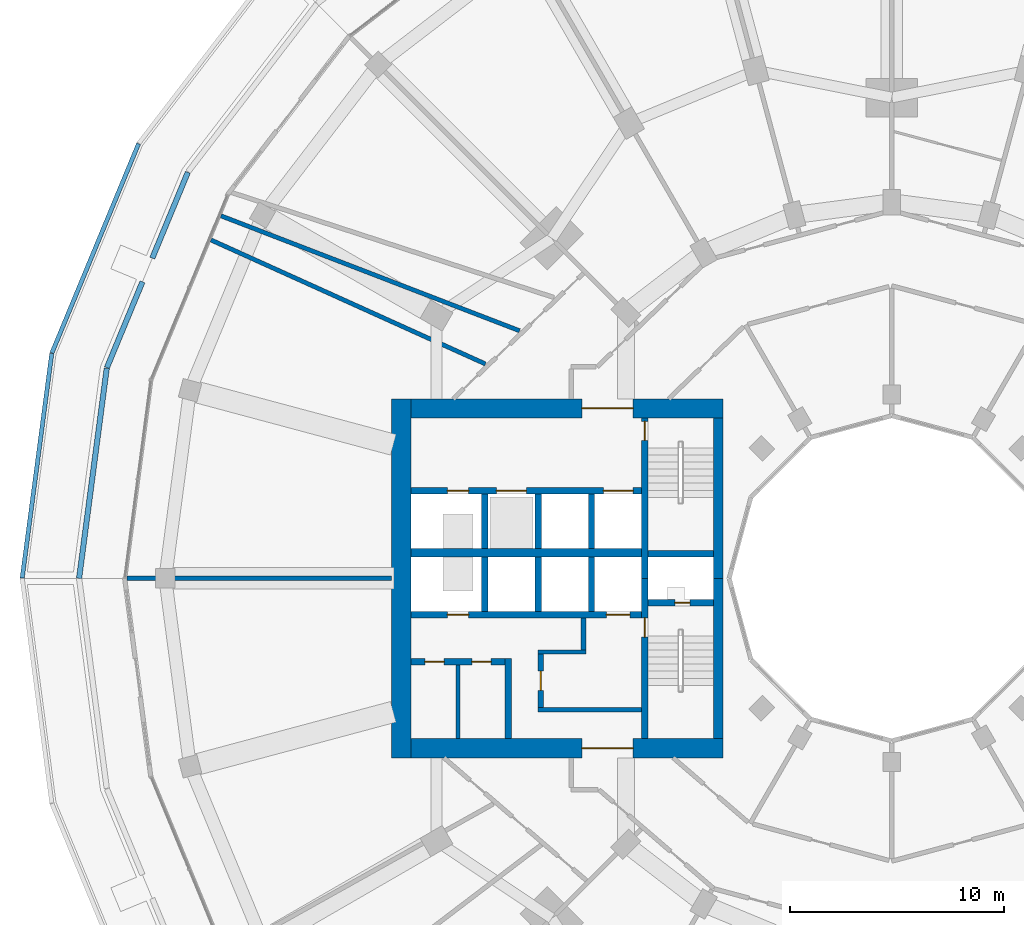
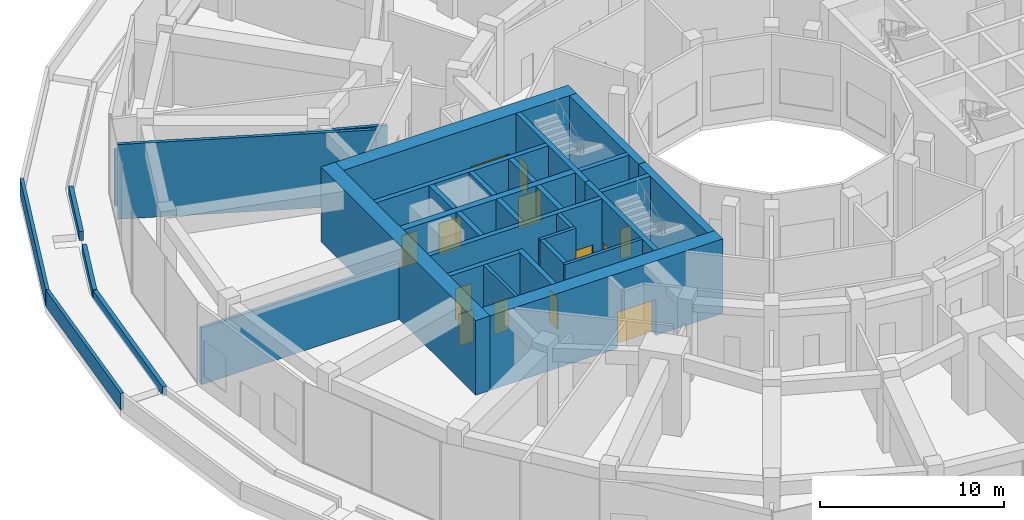
# One storey, part 19 of 26: 33 walls, 13 doors, 13 openings.
"""IFC4 building model written with IfcOpenShell, lengths in metres."""

from ifc_helpers import new_model, si_unit, direction, frame, frame_2d, origin, place, context, subcontext, project, spatial, rectangle, extrude, material, layer, layer_set, type_object, element, fill, save


model = new_model("IFC4")

# Units and contexts
model_context = context("Model", 3, precision=1e-05, world=origin(), true_north=direction((0.0, 1.0)))
body_context = subcontext(model_context, "Body", "Model", "MODEL_VIEW")
ifc_project = project(units=[si_unit("LENGTHUNIT", "METRE"), si_unit("AREAUNIT", "SQUARE_METRE"), si_unit("VOLUMEUNIT", "CUBIC_METRE"), si_unit("PLANEANGLEUNIT", "RADIAN"), si_unit("MASSUNIT", "GRAM", prefix="KILO")], contexts=[model_context])

# Site, building, storey
site_placement = place(None, origin())
site = spatial("IfcSite", under=ifc_project, at=site_placement, CompositionType="ELEMENT")
building_placement = place(site_placement, origin())
building = spatial("IfcBuilding", under=site, at=building_placement, Name="Torre Brocal", CompositionType="ELEMENT")
storey_placement = place(building_placement, frame((0.0, 0.0, 12.39990234375)))
storey = spatial("IfcBuildingStorey", under=building, at=storey_placement, Name="L02", CompositionType="ELEMENT", Elevation=12.39990234375)

# Walls
ifc_material_1 = material(Name="Masonry block", Category="masonry")
ifc_layer_1 = layer(ifc_material_1, 0.199951171875)
ifc_layer_set_1 = layer_set([ifc_layer_1], Name="Masonry block")
wall_type_1 = type_object("IfcWallType", Name="CORE PARTITION 200 UNDER 450 SLAB", PredefinedType="PARTITIONING", material=ifc_layer_set_1)
wall_1_placement = place(storey_placement, frame((59.699951171875, 70.949951171875, 0.0), z_axis=(0.0, 0.0, 1.0), x_axis=(0.0, -1.0, 0.0)))
element("IfcWall", 1, at=wall_1_placement, inside=storey, type_object=wall_type_1, Name="Wall CP200-S450", PredefinedType="PARTITIONING", context=body_context, shape_type="SweptSolid", body=[
    extrude(rectangle(XDim=3.449951171875, YDim=0.199951171875, at=frame_2d((1.72509765625, 0.0))), origin(), (0.0, 0.0, 1.0), 4.9501953125),
])
ifc_material_2 = material(Name="Concrete C80", Category="concrete")
ifc_layer_2 = layer(ifc_material_2, 0.199951171875)
ifc_layer_set_2 = layer_set([ifc_layer_2], Name="Concrete C80")
wall_type_2 = type_object("IfcWallType", Name="CORE WALL 200 C80 UNDER 450 SLAB", PredefinedType="SHEAR", material=ifc_layer_set_2)
wall_2_placement = place(storey_placement, frame((68.300048828125, 68.85009765625, 0.0), z_axis=(0.0, 0.0, 1.0), x_axis=(-1.0, 0.0, 0.0)))
element("IfcWall", 2, at=wall_2_placement, inside=storey, type_object=wall_type_2, Name="Wall CW200-80-S450", PredefinedType="SHEAR", context=body_context, shape_type="SweptSolid", body=[
    extrude(rectangle(XDim=4.85009765625, YDim=0.199951171875, at=frame_2d((2.425048828125, 0.0))), origin(), (0.0, 0.0, 1.0), 4.9501953125),
])
wall_3_placement = place(storey_placement, frame((65.699951171875, 71.550048828125, 0.0), z_axis=(0.0, 0.0, 1.0), x_axis=(-1.0, 0.0, 0.0)))
element("IfcWall", 3, at=wall_3_placement, inside=storey, type_object=wall_type_2, Name="Wall CW200-80-S450", PredefinedType="SHEAR", context=body_context, shape_type="SweptSolid", body=[
    extrude(rectangle(XDim=2.25, YDim=0.199951171875, at=frame_2d((1.125, 0.0))), origin(), (0.0, 0.0, 1.0), 4.9501953125),
])

# Wall, opening, door
ifc_material_3 = material(Name="Concrete C80", Category="concrete")
ifc_layer_3 = layer(ifc_material_3, 0.25)
ifc_layer_set_3 = layer_set([ifc_layer_3], Name="Concrete C80")
wall_type_3 = type_object("IfcWallType", Name="CORE WALL 250 C80 UNDER 450 SLAB", PredefinedType="SHEAR", material=ifc_layer_set_3)
wall_4_placement = place(storey_placement, frame((63.574951171875, 71.449951171875, 0.0), z_axis=(0.0, 0.0, 1.0), x_axis=(0.0, -1.0, 0.0)))
wall_4 = element("IfcWall", 4, at=wall_4_placement, inside=storey, type_object=wall_type_3, Name="Wall CW250-80-S450", PredefinedType="SHEAR", context=body_context, shape_type="SweptSolid", body=[
    extrude(rectangle(XDim=2.5, YDim=0.25, at=frame_2d((1.25, 0.0))), origin(), (0.0, 0.0, 1.0), 4.9501953125),
])
opening_1_placement = place(wall_4_placement, frame((0.800048828125, 0.0, 0.0)))
opening_1 = element("IfcOpeningElement", 5, at=opening_1_placement, cuts=wall_4, Name="Opening W-D15", PredefinedType="OPENING", context=body_context, shape_type="SweptSolid", body=[
    extrude(rectangle(XDim=0.89990234375, YDim=2.10009765625, at=frame_2d((0.449951171875, 1.050048828125))), frame((0.0, 0.135009765625, 0.0), z_axis=(0.0, -1.0, 0.0), x_axis=(1.0, 0.0, 0.0)), (0.0, 0.0, 1.0), 0.27001953125),
])
ifc_material_4 = material(Name="Steel A653", Category="steel")
door_type_1 = type_object("IfcDoorType", Name="LOBBY DOOR FD120 900X2100", OperationType="SINGLE_SWING_RIGHT", PredefinedType="DOOR", material=ifc_material_4)
door_1_placement = place(opening_1_placement, origin())
door_1 = element("IfcDoor", 6, at=door_1_placement, inside=storey, type_object=door_type_1, Name="Door W-D15", OperationType="SINGLE_SWING_LEFT", OverallHeight=2.10009765625, OverallWidth=0.89990234375, PredefinedType="DOOR", context=body_context, shape_type="SweptSolid", body=[
    extrude(rectangle(XDim=0.89990234375, YDim=2.10009765625, at=frame_2d((0.449951171875, 1.050048828125))), frame((0.0, 0.02490234375, 0.0), z_axis=(0.0, -1.0, 0.0), x_axis=(1.0, 0.0, 0.0)), (0.0, 0.0, 1.0), 0.050048828125),
])
fill(opening_1, door_1)

# Wall
wall_5_placement = place(storey_placement, frame((65.574951171875, 73.14990234375, 0.0), z_axis=(0.0, 0.0, 1.0), x_axis=(0.0, -1.0, 0.0)))
element("IfcWall", 7, at=wall_5_placement, inside=storey, type_object=wall_type_3, Name="Wall CW250-80-S450", PredefinedType="SHEAR", context=body_context, shape_type="SweptSolid", body=[
    extrude(rectangle(XDim=1.5, YDim=0.25, at=frame_2d((0.75, 0.0))), origin(), (0.0, 0.0, 1.0), 4.9501953125),
])

# Wall, opening, door
ifc_material_5 = material(Name="Concrete C80", Category="concrete")
ifc_layer_4 = layer(ifc_material_5, 0.300048828125)
ifc_layer_set_4 = layer_set([ifc_layer_4], Name="Concrete C80")
wall_type_4 = type_object("IfcWallType", Name="CORE WALL 300 C80 UNDER 450 SLAB", PredefinedType="SHEAR", material=ifc_layer_set_4)
wall_6_placement = place(storey_placement, frame((68.449951171875, 75.0, 0.0), z_axis=(0.0, 0.0, 1.0), x_axis=(0.0, -1.0, 0.0)))
wall_6 = element("IfcWall", 8, at=wall_6_placement, inside=storey, type_object=wall_type_4, Name="Wall CW300-80-S450", PredefinedType="SHEAR", context=body_context, shape_type="SweptSolid", body=[
    extrude(rectangle(XDim=7.5, YDim=0.300048828125, at=frame_2d((3.75, 0.0))), origin(), (0.0, 0.0, 1.0), 4.9501953125),
])
opening_2_placement = place(wall_6_placement, frame((1.85009765625, 0.0, 0.0)))
opening_2 = element("IfcOpeningElement", 9, at=opening_2_placement, cuts=wall_6, Name="Opening W-D02", PredefinedType="OPENING", context=body_context, shape_type="SweptSolid", body=[
    extrude(rectangle(XDim=0.89990234375, YDim=2.10009765625, at=frame_2d((0.449951171875, 1.050048828125))), frame((0.0, 0.159912109375, 0.0), z_axis=(0.0, -1.0, 0.0), x_axis=(1.0, 0.0, 0.0)), (0.0, 0.0, 1.0), 0.320068359375),
])
ifc_material_6 = material(Name="Steel A653", Category="steel")
door_type_2 = type_object("IfcDoorType", Name="STAIR DOOR FD120 900X2100", OperationType="SINGLE_SWING_RIGHT", PredefinedType="DOOR", material=ifc_material_6)
door_2_placement = place(opening_2_placement, origin())
door_2 = element("IfcDoor", 10, at=door_2_placement, inside=storey, type_object=door_type_2, Name="Door W-D02", OperationType="SINGLE_SWING_LEFT", OverallHeight=2.10009765625, OverallWidth=0.89990234375, PredefinedType="DOOR", context=body_context, shape_type="SweptSolid", body=[
    extrude(rectangle(XDim=0.89990234375, YDim=2.10009765625, at=frame_2d((0.449951171875, 1.050048828125))), frame((0.0, 0.02490234375, 0.0), z_axis=(0.0, -1.0, 0.0), x_axis=(1.0, 0.0, 0.0)), (0.0, 0.0, 1.0), 0.050048828125),
])
fill(opening_2, door_2)

wall_7_placement = place(storey_placement, frame((68.449951171875, 82.5, 0.0), z_axis=(0.0, 0.0, 1.0), x_axis=(0.0, -1.0, 0.0)))
wall_7 = element("IfcWall", 11, at=wall_7_placement, inside=storey, type_object=wall_type_4, Name="Wall CW300-80-S450", PredefinedType="SHEAR", context=body_context, shape_type="SweptSolid", body=[
    extrude(rectangle(XDim=7.5, YDim=0.300048828125, at=frame_2d((3.75, 0.0))), origin(), (0.0, 0.0, 1.0), 4.9501953125),
])
opening_3_placement = place(wall_7_placement, frame((0.14990234375, 0.0, 0.0)))
opening_3 = element("IfcOpeningElement", 12, at=opening_3_placement, cuts=wall_7, Name="Opening W-D03", PredefinedType="OPENING", context=body_context, shape_type="SweptSolid", body=[
    extrude(rectangle(XDim=0.89990234375, YDim=2.10009765625, at=frame_2d((0.449951171875, 1.050048828125))), frame((0.0, 0.159912109375, 0.0), z_axis=(0.0, -1.0, 0.0), x_axis=(1.0, 0.0, 0.0)), (0.0, 0.0, 1.0), 0.320068359375),
])
door_3_placement = place(opening_3_placement, origin())
door_3 = element("IfcDoor", 13, at=door_3_placement, inside=storey, type_object=door_type_2, Name="Door W-D03", OperationType="SINGLE_SWING_LEFT", OverallHeight=2.10009765625, OverallWidth=0.89990234375, PredefinedType="DOOR", context=body_context, shape_type="SweptSolid", body=[
    extrude(rectangle(XDim=0.89990234375, YDim=2.10009765625, at=frame_2d((0.449951171875, 1.050048828125))), frame((0.0, 0.02490234375, 0.0), z_axis=(0.0, -1.0, 0.0), x_axis=(1.0, 0.0, 0.0)), (0.0, 0.0, 1.0), 0.050048828125),
])
fill(opening_3, door_3)

wall_8_placement = place(storey_placement, frame((71.64990234375, 73.85009765625, 0.0), z_axis=(0.0, 0.0, 1.0), x_axis=(-1.0, 0.0, 0.0)))
wall_8 = element("IfcWall", 14, at=wall_8_placement, inside=storey, type_object=wall_type_4, Name="Wall CW300-80-S450", PredefinedType="SHEAR", context=body_context, shape_type="SweptSolid", body=[
    extrude(rectangle(XDim=3.0498046875, YDim=0.300048828125, at=frame_2d((1.52490234375, 0.0))), origin(), (0.0, 0.0, 1.0), 4.9501953125),
])
opening_4_placement = place(wall_8_placement, frame((1.10009765625, 0.0, 0.0)))
opening_4 = element("IfcOpeningElement", 15, at=opening_4_placement, cuts=wall_8, Name="Opening W-D01", PredefinedType="OPENING", context=body_context, shape_type="SweptSolid", body=[
    extrude(rectangle(XDim=0.699951171875, YDim=2.0, at=frame_2d((0.35009765625, 1.0))), frame((0.0, 0.159912109375, 0.0), z_axis=(0.0, -1.0, 0.0), x_axis=(1.0, 0.0, 0.0)), (0.0, 0.0, 1.0), 0.320068359375),
])
ifc_material_7 = material(Name="Steel A653", Category="steel")
door_type_3 = type_object("IfcDoorType", Name="RISER DOOR FD120 700X2000", OperationType="SINGLE_SWING_LEFT", PredefinedType="DOOR", material=ifc_material_7)
door_4_placement = place(opening_4_placement, frame((0.699951171875, 0.0, 0.0), z_axis=(0.0, 0.0, 1.0), x_axis=(-1.0, 0.0, 0.0)))
door_4 = element("IfcDoor", 16, at=door_4_placement, inside=storey, type_object=door_type_3, Name="Door W-D01", OperationType="SINGLE_SWING_RIGHT", OverallHeight=2.0, OverallWidth=0.699951171875, PredefinedType="DOOR", context=body_context, shape_type="SweptSolid", body=[
    extrude(rectangle(XDim=0.699951171875, YDim=2.0, at=frame_2d((0.35009765625, 1.0))), frame((0.0, 0.02490234375, 0.0), z_axis=(0.0, -1.0, 0.0), x_axis=(1.0, 0.0, 0.0)), (0.0, 0.0, 1.0), 0.050048828125),
])
fill(opening_4, door_4)

# Wall
wall_9_placement = place(storey_placement, frame((71.64990234375, 76.14990234375, 0.0), z_axis=(0.0, 0.0, 1.0), x_axis=(-1.0, 0.0, 0.0)))
element("IfcWall", 17, at=wall_9_placement, inside=storey, type_object=wall_type_4, Name="Wall CW300-80-S450", PredefinedType="SHEAR", context=body_context, shape_type="SweptSolid", body=[
    extrude(rectangle(XDim=3.0498046875, YDim=0.300048828125, at=frame_2d((1.52490234375, 0.0))), origin(), (0.0, 0.0, 1.0), 4.9501953125),
])

# Wall, openings, doors
wall_10_placement = place(storey_placement, frame((68.300048828125, 73.300048828125, 0.0), z_axis=(0.0, 0.0, 1.0), x_axis=(-1.0, 0.0, 0.0)))
wall_10 = element("IfcWall", 18, at=wall_10_placement, inside=storey, type_object=wall_type_4, Name="Wall CW300-80-S450", PredefinedType="SHEAR", context=body_context, shape_type="SweptSolid", body=[
    extrude(rectangle(XDim=10.800048828125, YDim=0.300048828125, at=frame_2d((5.39990234375, 0.0))), origin(), (0.0, 0.0, 1.0), 4.9501953125),
])
opening_5_placement = place(wall_10_placement, frame((0.550048828125, 0.0, 0.0)))
opening_5 = element("IfcOpeningElement", 19, at=opening_5_placement, cuts=wall_10, Name="Opening LD", PredefinedType="OPENING", context=body_context, shape_type="SweptSolid", body=[
    extrude(rectangle(XDim=1.10009765625, YDim=2.10009765625, at=frame_2d((0.550048828125, 1.050048828125))), frame((0.0, 0.159912109375, 0.0), z_axis=(0.0, -1.0, 0.0), x_axis=(1.0, 0.0, 0.0)), (0.0, 0.0, 1.0), 0.320068359375),
])
opening_6_placement = place(wall_10_placement, frame((8.10009765625, 0.0, 0.0)))
opening_6 = element("IfcOpeningElement", 20, at=opening_6_placement, cuts=wall_10, Name="Opening LD10", PredefinedType="OPENING", context=body_context, shape_type="SweptSolid", body=[
    extrude(rectangle(XDim=1.0, YDim=2.10009765625, at=frame_2d((0.5, 1.050048828125))), frame((0.0, 0.159912109375, 0.0), z_axis=(0.0, -1.0, 0.0), x_axis=(1.0, 0.0, 0.0)), (0.0, 0.0, 1.0), 0.320068359375),
])
ifc_material_8 = material(Name="Stainless steel AISI 316", Category="steel")
door_type_4 = type_object("IfcDoorType", Name="LIFT LANDING DOOR 1000X2100", OperationType="DOUBLE_DOOR_SLIDING", PredefinedType="DOOR", material=ifc_material_8)
door_5_placement = place(opening_6_placement, origin())
door_5 = element("IfcDoor", 21, at=door_5_placement, inside=storey, type_object=door_type_4, Name="Door LD10", OperationType="DOUBLE_DOOR_SLIDING", OverallHeight=2.10009765625, OverallWidth=1.0, PredefinedType="DOOR", context=body_context, shape_type="SweptSolid", body=[
    extrude(rectangle(XDim=1.0, YDim=2.10009765625, at=frame_2d((0.5, 1.050048828125))), frame((0.0, 0.02490234375, 0.0), z_axis=(0.0, -1.0, 0.0), x_axis=(1.0, 0.0, 0.0)), (0.0, 0.0, 1.0), 0.050048828125),
])
fill(opening_6, door_5)
ifc_material_9 = material(Name="Stainless steel AISI 316", Category="steel")
door_type_5 = type_object("IfcDoorType", Name="LIFT LANDING DOOR 1100X2100", OperationType="DOUBLE_DOOR_SLIDING", PredefinedType="DOOR", material=ifc_material_9)
door_6_placement = place(opening_5_placement, origin())
door_6 = element("IfcDoor", 22, at=door_6_placement, inside=storey, type_object=door_type_5, Name="Door LD", OperationType="DOUBLE_DOOR_SLIDING", OverallHeight=2.10009765625, OverallWidth=1.10009765625, PredefinedType="DOOR", context=body_context, shape_type="SweptSolid", body=[
    extrude(rectangle(XDim=1.10009765625, YDim=2.10009765625, at=frame_2d((0.550048828125, 1.050048828125))), frame((0.0, 0.02490234375, 0.0), z_axis=(0.0, -1.0, 0.0), x_axis=(1.0, 0.0, 0.0)), (0.0, 0.0, 1.0), 0.050048828125),
])
fill(opening_5, door_6)

wall_11_placement = place(storey_placement, frame((68.300048828125, 79.10009765625, 0.0), z_axis=(0.0, 0.0, 1.0), x_axis=(-1.0, 0.0, 0.0)))
wall_11 = element("IfcWall", 23, at=wall_11_placement, inside=storey, type_object=wall_type_4, Name="Wall CW300-80-S450", PredefinedType="SHEAR", context=body_context, shape_type="SweptSolid", body=[
    extrude(rectangle(XDim=10.800048828125, YDim=0.300048828125, at=frame_2d((5.39990234375, 0.0))), origin(), (0.0, 0.0, 1.0), 4.9501953125),
])
opening_7_placement = place(wall_11_placement, frame((0.39990234375, 0.0, 0.0)))
opening_7 = element("IfcOpeningElement", 24, at=opening_7_placement, cuts=wall_11, Name="Opening LD14", PredefinedType="OPENING", context=body_context, shape_type="SweptSolid", body=[
    extrude(rectangle(XDim=1.39990234375, YDim=2.10009765625, at=frame_2d((0.699951171875, 1.050048828125))), frame((0.0, 0.159912109375, 0.0), z_axis=(0.0, -1.0, 0.0), x_axis=(1.0, 0.0, 0.0)), (0.0, 0.0, 1.0), 0.320068359375),
])
opening_8_placement = place(wall_11_placement, frame((5.39990234375, 0.0, 0.0)))
opening_8 = element("IfcOpeningElement", 25, at=opening_8_placement, cuts=wall_11, Name="Opening LD14", PredefinedType="OPENING", context=body_context, shape_type="SweptSolid", body=[
    extrude(rectangle(XDim=1.39990234375, YDim=2.10009765625, at=frame_2d((0.699951171875, 1.050048828125))), frame((0.0, 0.159912109375, 0.0), z_axis=(0.0, -1.0, 0.0), x_axis=(1.0, 0.0, 0.0)), (0.0, 0.0, 1.0), 0.320068359375),
])
opening_9_placement = place(wall_11_placement, frame((8.10009765625, 0.0, 0.0)))
opening_9 = element("IfcOpeningElement", 26, at=opening_9_placement, cuts=wall_11, Name="Opening LD10", PredefinedType="OPENING", context=body_context, shape_type="SweptSolid", body=[
    extrude(rectangle(XDim=1.0, YDim=2.10009765625, at=frame_2d((0.5, 1.050048828125))), frame((0.0, 0.159912109375, 0.0), z_axis=(0.0, -1.0, 0.0), x_axis=(1.0, 0.0, 0.0)), (0.0, 0.0, 1.0), 0.320068359375),
])
door_7_placement = place(opening_9_placement, origin())
door_7 = element("IfcDoor", 27, at=door_7_placement, inside=storey, type_object=door_type_4, Name="Door LD10", OperationType="DOUBLE_DOOR_SLIDING", OverallHeight=2.10009765625, OverallWidth=1.0, PredefinedType="DOOR", context=body_context, shape_type="SweptSolid", body=[
    extrude(rectangle(XDim=1.0, YDim=2.10009765625, at=frame_2d((0.5, 1.050048828125))), frame((0.0, 0.02490234375, 0.0), z_axis=(0.0, -1.0, 0.0), x_axis=(1.0, 0.0, 0.0)), (0.0, 0.0, 1.0), 0.050048828125),
])
fill(opening_9, door_7)
ifc_material_10 = material(Name="Stainless steel AISI 316", Category="steel")
door_type_6 = type_object("IfcDoorType", Name="LIFT LANDING DOOR 1400X2100", OperationType="DOUBLE_DOOR_SLIDING", PredefinedType="DOOR", material=ifc_material_10)
door_8_placement = place(opening_7_placement, origin())
door_8 = element("IfcDoor", 28, at=door_8_placement, inside=storey, type_object=door_type_6, Name="Door LD14", OperationType="DOUBLE_DOOR_SLIDING", OverallHeight=2.10009765625, OverallWidth=1.39990234375, PredefinedType="DOOR", context=body_context, shape_type="SweptSolid", body=[
    extrude(rectangle(XDim=1.39990234375, YDim=2.10009765625, at=frame_2d((0.699951171875, 1.050048828125))), frame((0.0, 0.02490234375, 0.0), z_axis=(0.0, -1.0, 0.0), x_axis=(1.0, 0.0, 0.0)), (0.0, 0.0, 1.0), 0.050048828125),
])
fill(opening_7, door_8)
door_9_placement = place(opening_8_placement, origin())
door_9 = element("IfcDoor", 29, at=door_9_placement, inside=storey, type_object=door_type_6, Name="Door LD14", OperationType="DOUBLE_DOOR_SLIDING", OverallHeight=2.10009765625, OverallWidth=1.39990234375, PredefinedType="DOOR", context=body_context, shape_type="SweptSolid", body=[
    extrude(rectangle(XDim=1.39990234375, YDim=2.10009765625, at=frame_2d((0.699951171875, 1.050048828125))), frame((0.0, 0.02490234375, 0.0), z_axis=(0.0, -1.0, 0.0), x_axis=(1.0, 0.0, 0.0)), (0.0, 0.0, 1.0), 0.050048828125),
])
fill(opening_8, door_9)

# Walls
for number, where, z_axis, x_axis, name in (
    (30, (65.949951171875, 76.0, 0.0), (0.0, 0.0, 1.0), (0.0, -1.0, 0.0), "Wall CW300-80-S450"),
    (31, (63.449951171875, 76.0, 0.0), (0.0, 0.0, 1.0), (0.0, -1.0, 0.0), "Wall CW300-80-S450"),
    (32, (60.949951171875, 76.0, 0.0), (0.0, 0.0, 1.0), (0.0, -1.0, 0.0), "Wall CW300-80-S450"),
    (33, (65.949951171875, 78.949951171875, 0.0), (0.0, 0.0, 1.0), (0.0, -1.0, 0.0), "Wall CW300-80-S450"),
    (34, (63.449951171875, 78.949951171875, 0.0), (0.0, 0.0, 1.0), (0.0, -1.0, 0.0), "Wall CW300-80-S450"),
    (35, (60.949951171875, 78.949951171875, 0.0), (0.0, 0.0, 1.0), (0.0, -1.0, 0.0), "Wall CW300-80-S450"),
):
    element("IfcWall", number, at=place(storey_placement, frame(where, z_axis=z_axis, x_axis=x_axis)), inside=storey, type_object=wall_type_4, Name=name, PredefinedType="SHEAR", context=body_context, shape_type="SweptSolid", body=[
        extrude(rectangle(XDim=2.550048828125, YDim=0.300048828125, at=frame_2d((1.27490234375, 0.0))), origin(), (0.0, 0.0, 1.0), 4.9501953125),
    ])
wall_12_placement = place(storey_placement, frame((62.050048828125, 71.25, 0.0), z_axis=(0.0, 0.0, 1.0), x_axis=(0.0, -1.0, 0.0)))
element("IfcWall", 36, at=wall_12_placement, inside=storey, type_object=wall_type_4, Name="Wall CW300-80-S450", PredefinedType="SHEAR", context=body_context, shape_type="SweptSolid", body=[
    extrude(rectangle(XDim=3.75, YDim=0.300048828125, at=frame_2d((1.875, 0.0))), origin(), (0.0, 0.0, 1.0), 4.9501953125),
])

# Wall, openings, doors
wall_13_placement = place(storey_placement, frame((61.89990234375, 71.10009765625, 0.0), z_axis=(0.0, 0.0, 1.0), x_axis=(-1.0, 0.0, 0.0)))
wall_13 = element("IfcWall", 37, at=wall_13_placement, inside=storey, type_object=wall_type_4, Name="Wall CW300-80-S450", PredefinedType="SHEAR", context=body_context, shape_type="SweptSolid", body=[
    extrude(rectangle(XDim=4.39990234375, YDim=0.300048828125, at=frame_2d((2.199951171875, 0.0))), origin(), (0.0, 0.0, 1.0), 4.9501953125),
])
opening_10_placement = place(wall_13_placement, frame((0.64990234375, 0.0, 0.0)))
opening_10 = element("IfcOpeningElement", 38, at=opening_10_placement, cuts=wall_13, Name="Opening W-D05", PredefinedType="OPENING", context=body_context, shape_type="SweptSolid", body=[
    extrude(rectangle(XDim=0.89990234375, YDim=2.10009765625, at=frame_2d((0.449951171875, 1.050048828125))), frame((0.0, 0.159912109375, 0.0), z_axis=(0.0, -1.0, 0.0), x_axis=(1.0, 0.0, 0.0)), (0.0, 0.0, 1.0), 0.320068359375),
])
opening_11_placement = place(wall_13_placement, frame((2.85009765625, 0.0, 0.0)))
opening_11 = element("IfcOpeningElement", 39, at=opening_11_placement, cuts=wall_13, Name="Opening W-D06", PredefinedType="OPENING", context=body_context, shape_type="SweptSolid", body=[
    extrude(rectangle(XDim=0.89990234375, YDim=2.10009765625, at=frame_2d((0.449951171875, 1.050048828125))), frame((0.0, 0.159912109375, 0.0), z_axis=(0.0, -1.0, 0.0), x_axis=(1.0, 0.0, 0.0)), (0.0, 0.0, 1.0), 0.320068359375),
])
ifc_material_11 = material(Name="Steel A653", Category="steel")
door_type_7 = type_object("IfcDoorType", Name="ROOM DOOR FD30S 900X2100", OperationType="SINGLE_SWING_LEFT", PredefinedType="DOOR", material=ifc_material_11)
door_10_placement = place(opening_10_placement, origin())
door_10 = element("IfcDoor", 40, at=door_10_placement, inside=storey, type_object=door_type_7, Name="Door W-D05", OperationType="SINGLE_SWING_RIGHT", OverallHeight=2.10009765625, OverallWidth=0.89990234375, PredefinedType="DOOR", context=body_context, shape_type="SweptSolid", body=[
    extrude(rectangle(XDim=0.89990234375, YDim=2.10009765625, at=frame_2d((0.449951171875, 1.050048828125))), frame((0.0, 0.02490234375, 0.0), z_axis=(0.0, -1.0, 0.0), x_axis=(1.0, 0.0, 0.0)), (0.0, 0.0, 1.0), 0.050048828125),
])
fill(opening_10, door_10)
door_11_placement = place(opening_11_placement, origin())
door_11 = element("IfcDoor", 41, at=door_11_placement, inside=storey, type_object=door_type_7, Name="Door W-D06", OperationType="SINGLE_SWING_LEFT", OverallHeight=2.10009765625, OverallWidth=0.89990234375, PredefinedType="DOOR", context=body_context, shape_type="SweptSolid", body=[
    extrude(rectangle(XDim=0.89990234375, YDim=2.10009765625, at=frame_2d((0.449951171875, 1.050048828125))), frame((0.0, 0.02490234375, 0.0), z_axis=(0.0, -1.0, 0.0), x_axis=(1.0, 0.0, 0.0)), (0.0, 0.0, 1.0), 0.050048828125),
])
fill(opening_11, door_11)

# Walls
ifc_material_12 = material(Name="Concrete C80", Category="concrete")
ifc_layer_5 = layer(ifc_material_12, 0.39990234375)
ifc_layer_set_5 = layer_set([ifc_layer_5], Name="Concrete C80")
wall_type_5 = type_object("IfcWallType", Name="CORE WALL 400 C80 UNDER 450 SLAB", PredefinedType="SHEAR", material=ifc_layer_set_5)
wall_14_placement = place(storey_placement, frame((68.300048828125, 76.199951171875, 0.0), z_axis=(0.0, 0.0, 1.0), x_axis=(-1.0, 0.0, 0.0)))
element("IfcWall", 42, at=wall_14_placement, inside=storey, type_object=wall_type_5, Name="Wall CW400-80-S450", PredefinedType="SHEAR", context=body_context, shape_type="SweptSolid", body=[
    extrude(rectangle(XDim=10.800048828125, YDim=0.39990234375, at=frame_2d((5.39990234375, 0.0))), origin(), (0.0, 0.0, 1.0), 4.9501953125),
])
ifc_material_13 = material(Name="Concrete C80", Category="concrete")
ifc_layer_6 = layer(ifc_material_13, 0.449951171875)
ifc_layer_set_6 = layer_set([ifc_layer_6], Name="Concrete C80")
wall_type_6 = type_object("IfcWallType", Name="CORE WALL 450 C80 UNDER 450 SLAB", PredefinedType="SHEAR", material=ifc_layer_set_6)
for number, where, z_axis, x_axis, name in (
    (43, (71.875, 75.0, 0.0), (0.0, 0.0, 1.0), (0.0, -1.0, 0.0), "Wall CW450-80-S450"),
    (44, (71.875, 82.5, 0.0), (0.0, 0.0, 1.0), (0.0, -1.0, 0.0), "Wall CW450-80-S450"),
):
    element("IfcWall", number, at=place(storey_placement, frame(where, z_axis=z_axis, x_axis=x_axis)), inside=storey, type_object=wall_type_6, Name=name, PredefinedType="SHEAR", context=body_context, shape_type="SweptSolid", body=[
        extrude(rectangle(XDim=7.5, YDim=0.449951171875, at=frame_2d((3.75, 0.0))), origin(), (0.0, 0.0, 1.0), 4.9501953125),
    ])

# Wall, opening, door
ifc_material_14 = material(Name="Concrete C80", Category="concrete")
ifc_layer_7 = layer(ifc_material_14, 0.89990234375)
ifc_layer_set_7 = layer_set([ifc_layer_7], Name="Concrete C80")
wall_type_7 = type_object("IfcWallType", Name="CORE WALL 900 C80 UNDER 450 SLAB", PredefinedType="SHEAR", material=ifc_layer_set_7)
wall_15_placement = place(storey_placement, frame((72.10009765625, 67.050048828125, 0.0), z_axis=(0.0, 0.0, 1.0), x_axis=(-1.0, 0.0, 0.0)))
wall_15 = element("IfcWall", 45, at=wall_15_placement, inside=storey, type_object=wall_type_7, Name="Wall CW900-80-S450", PredefinedType="SHEAR", context=body_context, shape_type="SweptSolid", body=[
    extrude(rectangle(XDim=14.60009765625, YDim=0.89990234375, at=frame_2d((7.300048828125, 0.0))), origin(), (0.0, 0.0, 1.0), 4.9501953125),
])
opening_12_placement = place(wall_15_placement, frame((4.199951171875, 0.0, 0.0)))
opening_12 = element("IfcOpeningElement", 46, at=opening_12_placement, cuts=wall_15, Name="Opening W-D24", PredefinedType="OPENING", context=body_context, shape_type="SweptSolid", body=[
    extrude(rectangle(XDim=2.39990234375, YDim=2.39990234375, at=frame_2d((1.199951171875, 1.199951171875))), frame((0.0, 0.4599609375, 0.0), z_axis=(0.0, -1.0, 0.0), x_axis=(1.0, 0.0, 0.0)), (0.0, 0.0, 1.0), 0.919921875),
])
ifc_material_15 = material(Name="Steel A653", Category="steel")
door_type_8 = type_object("IfcDoorType", Name="DOUBLE FIRE DOOR FD90 2400X2400", OperationType="DOUBLE_DOOR_SINGLE_SWING", PredefinedType="DOOR", material=ifc_material_15)
door_12_placement = place(opening_12_placement, frame((2.39990234375, 0.0, 0.0), z_axis=(0.0, 0.0, 1.0), x_axis=(-1.0, 0.0, 0.0)))
door_12 = element("IfcDoor", 47, at=door_12_placement, inside=storey, type_object=door_type_8, Name="Door W-D24", OperationType="DOUBLE_DOOR_SINGLE_SWING", OverallHeight=2.39990234375, OverallWidth=2.39990234375, PredefinedType="DOOR", context=body_context, shape_type="SweptSolid", body=[
    extrude(rectangle(XDim=2.39990234375, YDim=2.39990234375, at=frame_2d((1.199951171875, 1.199951171875))), frame((0.0, 0.02490234375, 0.0), z_axis=(0.0, -1.0, 0.0), x_axis=(1.0, 0.0, 0.0)), (0.0, 0.0, 1.0), 0.050048828125),
])
fill(opening_12, door_12)

wall_16_placement = place(storey_placement, frame((72.10009765625, 82.949951171875, 0.0), z_axis=(0.0, 0.0, 1.0), x_axis=(-1.0, 0.0, 0.0)))
wall_16 = element("IfcWall", 48, at=wall_16_placement, inside=storey, type_object=wall_type_7, Name="Wall CW900-80-S450", PredefinedType="SHEAR", context=body_context, shape_type="SweptSolid", body=[
    extrude(rectangle(XDim=14.60009765625, YDim=0.89990234375, at=frame_2d((7.300048828125, 0.0))), origin(), (0.0, 0.0, 1.0), 4.9501953125),
])
opening_13_placement = place(wall_16_placement, frame((4.199951171875, 0.0, 0.0)))
opening_13 = element("IfcOpeningElement", 49, at=opening_13_placement, cuts=wall_16, Name="Opening W-D27", PredefinedType="OPENING", context=body_context, shape_type="SweptSolid", body=[
    extrude(rectangle(XDim=2.39990234375, YDim=2.39990234375, at=frame_2d((1.199951171875, 1.199951171875))), frame((0.0, 0.4599609375, 0.0), z_axis=(0.0, -1.0, 0.0), x_axis=(1.0, 0.0, 0.0)), (0.0, 0.0, 1.0), 0.919921875),
])
door_13_placement = place(opening_13_placement, origin())
door_13 = element("IfcDoor", 50, at=door_13_placement, inside=storey, type_object=door_type_8, Name="Door W-D27", OperationType="DOUBLE_DOOR_SINGLE_SWING", OverallHeight=2.39990234375, OverallWidth=2.39990234375, PredefinedType="DOOR", context=body_context, shape_type="SweptSolid", body=[
    extrude(rectangle(XDim=2.39990234375, YDim=2.39990234375, at=frame_2d((1.199951171875, 1.199951171875))), frame((0.0, 0.02490234375, 0.0), z_axis=(0.0, -1.0, 0.0), x_axis=(1.0, 0.0, 0.0)), (0.0, 0.0, 1.0), 0.050048828125),
])
fill(opening_13, door_13)

# Walls
wall_17_placement = place(storey_placement, frame((57.050048828125, 83.39990234375, 0.0), z_axis=(0.0, 0.0, 1.0), x_axis=(0.0, -1.0, 0.0)))
element("IfcWall", 51, at=wall_17_placement, inside=storey, type_object=wall_type_7, Name="Wall CW900-80-S450", PredefinedType="SHEAR", context=body_context, shape_type="SweptSolid", body=[
    extrude(rectangle(XDim=16.7998046875, YDim=0.89990234375, at=frame_2d((8.39990234375, 0.0))), origin(), (0.0, 0.0, 1.0), 4.9501953125),
])
ifc_material_16 = material(Name="Concrete C40", Category="concrete")
ifc_layer_8 = layer(ifc_material_16, 0.199951171875)
ifc_layer_set_8 = layer_set([ifc_layer_8], Name="Concrete C40")
wall_type_8 = type_object("IfcWallType", Name="PARAPET WALL 200 THICK 1100 HIGH", PredefinedType="PARAPET", material=ifc_layer_set_8)
wall_18_placement = place(storey_placement, frame((39.30419921875, 75.012939453125, 0.0), z_axis=(0.0, 0.0, 1.0), x_axis=(0.130524829249, 0.991445040811, 0.0)))
element("IfcWall", 52, at=wall_18_placement, inside=storey, type_object=wall_type_8, Name="PARAPET WALL 13", PredefinedType="PARAPET", context=body_context, shape_type="SweptSolid", body=[
    extrude(rectangle(XDim=10.597900390625, YDim=0.199951171875, at=frame_2d((5.298828125, 0.0))), origin(), (0.0, 0.0, 1.0), 1.10009765625),
])
wall_19_placement = place(storey_placement, frame((40.6943359375, 85.54541015625, 0.0), z_axis=(0.0, 0.0, 1.0), x_axis=(0.382690890544, 0.923876443197, 0.0)))
element("IfcWall", 53, at=wall_19_placement, inside=storey, type_object=wall_type_8, Name="PARAPET WALL 14", PredefinedType="PARAPET", context=body_context, shape_type="SweptSolid", body=[
    extrude(rectangle(XDim=10.59765625, YDim=0.199951171875, at=frame_2d((5.298828125, 0.0))), origin(), (0.0, 0.0, 1.0), 1.10009765625),
])
ifc_material_17 = material(Name="Gypsum board", Category="Gypsum")
ifc_layer_9 = layer(ifc_material_17, 0.199951171875)
ifc_layer_set_9 = layer_set([ifc_layer_9], Name="Gypsum board")
wall_type_9 = type_object("IfcWallType", Name="PARTITION 200 EI60", PredefinedType="PARTITIONING", material=ifc_layer_set_9)
wall_20_placement = place(storey_placement, frame((48.142333984375, 90.83349609375, 0.0), z_axis=(0.0, 0.0, 1.0), x_axis=(0.911298050864, -0.411747328457, 0.0)))
element("IfcWall", 54, at=wall_20_placement, inside=storey, type_object=wall_type_9, Name="PARTY PARTITION", PredefinedType="PARTITIONING", context=body_context, shape_type="SweptSolid", body=[
    extrude(rectangle(XDim=14.091796875, YDim=0.199951171875, at=frame_2d((7.0458984375, 0.0))), origin(), (0.0, 0.0, 1.0), 4.9501953125),
])
ifc_material_18 = material(Name="Gypsum board", Category="Gypsum")
ifc_layer_10 = layer(ifc_material_18, 0.199951171875)
ifc_layer_set_10 = layer_set([ifc_layer_10], Name="Gypsum board")
wall_type_10 = type_object("IfcWallType", Name="PARTITION 200 EI60 UNDER BEAM 1650", PredefinedType="PARTITIONING", material=ifc_layer_set_10)
wall_21_placement = place(storey_placement, frame((44.2041015625, 75.0, 0.0), z_axis=(0.0, 0.0, 1.0), x_axis=(1.0, 0.0, 0.0)))
element("IfcWall", 55, at=wall_21_placement, inside=storey, type_object=wall_type_10, Name="PLANT ROOM WALL", PredefinedType="PARTITIONING", context=body_context, shape_type="SweptSolid", body=[
    extrude(rectangle(XDim=12.393798828125, YDim=0.199951171875, at=frame_2d((6.19677734375, 0.0))), origin(), (0.0, 0.0, 1.0), 3.75),
])
wall_22_placement = place(storey_placement, frame((48.609375, 91.962890625, 0.0), z_axis=(0.0, 0.0, 1.0), x_axis=(0.933254810485, -0.35921505913, 0.0)))
element("IfcWall", 56, at=wall_22_placement, inside=storey, type_object=wall_type_10, Name="PARTY PARTITION", PredefinedType="PARTITIONING", context=body_context, shape_type="SweptSolid", body=[
    extrude(rectangle(XDim=14.97412109375, YDim=0.199951171875, at=frame_2d((7.487060546875, 0.0))), origin(), (0.0, 0.0, 1.0), 3.75),
])
ifc_material_19 = material(Name="Concrete C35", Category="concrete")
ifc_layer_11 = layer(ifc_material_19, 0.25)
ifc_layer_set_11 = layer_set([ifc_layer_11], Name="Concrete C35")
wall_type_11 = type_object("IfcWallType", Name="PLANTER WALL 250 THICK 600 HIGH", PredefinedType="USERDEFINED", material=ifc_layer_set_11)
wall_23_placement = place(storey_placement, frame((41.967529296875, 75.0, 0.0), z_axis=(0.0, 0.0, 1.0), x_axis=(0.130543713086, 0.991442554551, 0.0)))
element("IfcWall", 57, at=wall_23_placement, inside=storey, type_object=wall_type_11, Name="PLANTER", ObjectType="PLANTER", PredefinedType="USERDEFINED", context=body_context, shape_type="SweptSolid", body=[
    extrude(rectangle(XDim=9.911865234375, YDim=0.25, at=frame_2d((4.9560546875, 0.0))), origin(), (0.0, 0.0, 1.0), 0.60009765625),
])
for number, where, z_axis, x_axis, name in (
    (58, (43.269775390625, 84.858642578125, 0.0), (0.0, 0.0, 1.0), (0.382680760699, 0.923880639147, 0.0), "PLANTER"),
    (59, (45.392822265625, 89.984130859375, 0.0), (0.0, 0.0, 1.0), (0.382680760699, 0.923880639147, 0.0), "PLANTER"),
):
    element("IfcWall", number, at=place(storey_placement, frame(where, z_axis=z_axis, x_axis=x_axis)), inside=storey, type_object=wall_type_11, Name=name, ObjectType="PLANTER", PredefinedType="USERDEFINED", context=body_context, shape_type="SweptSolid", body=[
        extrude(rectangle(XDim=4.347900390625, YDim=0.25, at=frame_2d((2.173828125, 0.0))), origin(), (0.0, 0.0, 1.0), 0.60009765625),
    ])

save(model, "model.ifc")
